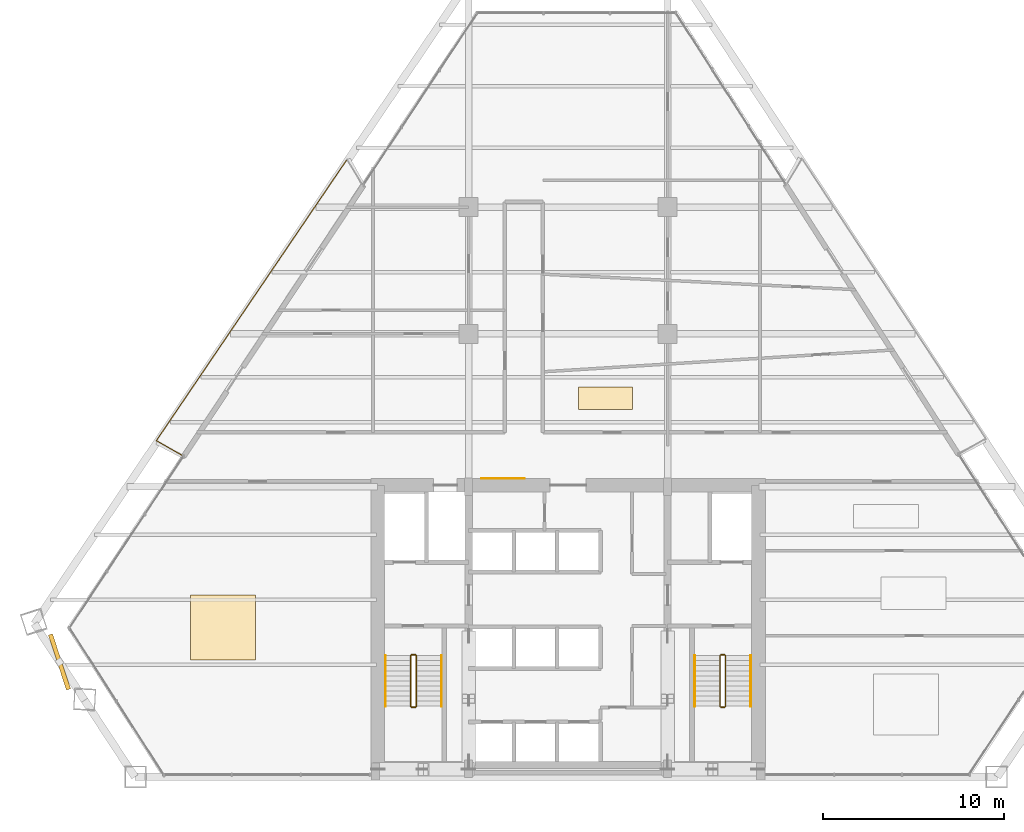
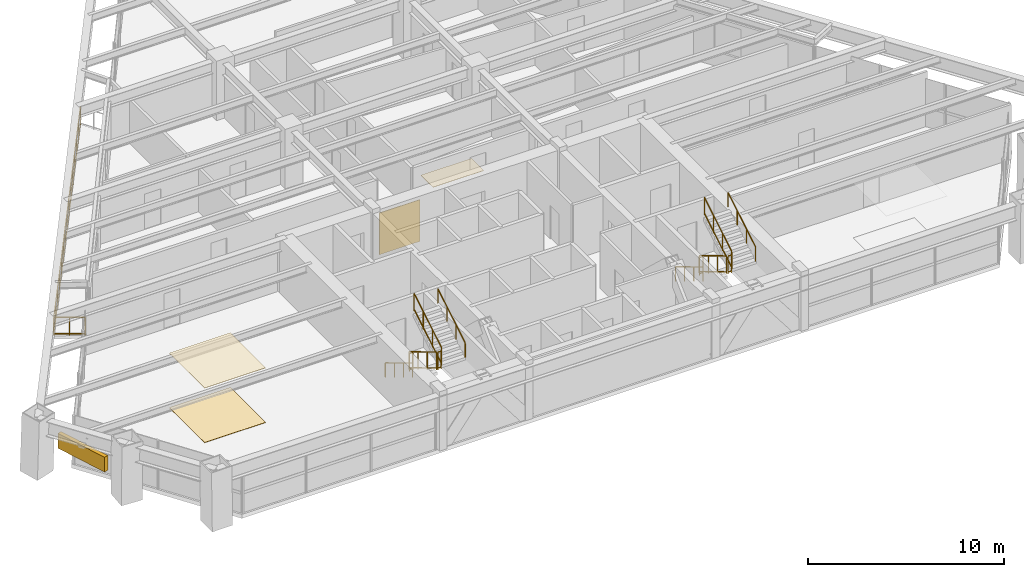
# One storey, part 13 of 14: 14 railings, 4 coverings, 1 shading device.
"""IFC4 building model written with IfcOpenShell, lengths in metres."""

from ifc_helpers import new_model, si_unit, direction, frame, origin, origin_2d, place, context, subcontext, project, spatial, rectangle, extrude, source, transform, mapped, material, layer, layer_set, type_object, type_shapes, element, save


model = new_model("IFC4")

# Units and contexts
model_context = context("Model", 3, precision=1e-05, world=origin(), true_north=direction((0.0, 1.0)))
body_context = subcontext(model_context, "Body", "Model", "MODEL_VIEW")
ifc_project = project(units=[si_unit("LENGTHUNIT", "METRE"), si_unit("AREAUNIT", "SQUARE_METRE"), si_unit("VOLUMEUNIT", "CUBIC_METRE"), si_unit("PLANEANGLEUNIT", "RADIAN"), si_unit("MASSUNIT", "GRAM", prefix="KILO")], contexts=[model_context])

# Site, building, storey
site_placement = place(None, origin())
site = spatial("IfcSite", under=ifc_project, at=site_placement, CompositionType="ELEMENT")
building_placement = place(site_placement, origin())
building = spatial("IfcBuilding", under=site, at=building_placement, Name="Varnakhor Terracotta Tower", CompositionType="ELEMENT")
storey_placement = place(building_placement, frame((0.0, 0.0, 117.300048828125)))
storey = spatial("IfcBuildingStorey", under=building, at=storey_placement, Name="L29", CompositionType="ELEMENT", Elevation=117.300048828125)

# Railings
ifc_material_1 = material(Name="Stainless Steel & Laminated Glass Guardrail", Category="steel")
railing_type_1 = type_object("IfcRailingType", Name="RLG-LOGGIA-GUARD-1150", PredefinedType="GUARDRAIL", material=ifc_material_1)
railing_1_placement = place(storey_placement, frame((-21.372314453125, 17.797607421875, 0.0)))
element("IfcRailing", 1, at=railing_1_placement, inside=storey, type_object=railing_type_1, Name="L29 W Loggia Glass Guard 1", PredefinedType="GUARDRAIL", context=body_context, shape_type="SweptSolid", body=[
    extrude(rectangle(XDim=0.048095703125, YDim=0.048095703125, at=origin_2d()), frame((0.0, 0.0, 1.1259765625), z_axis=(-0.867484051054, 0.497464994916, 0.0), x_axis=(-0.497464994916, -0.867484051054, 0.0)), (0.0, 0.0, 1.0), 1.605224609375),
    extrude(rectangle(XDim=0.048095703125, YDim=0.048095703125, at=origin_2d()), frame((0.0, 0.0, 0.10009765625), z_axis=(-0.867484051054, 0.497464994916, 0.0), x_axis=(-0.497464994916, -0.867484051054, 0.0)), (0.0, 0.0, 1.0), 1.605224609375),
    extrude(rectangle(XDim=0.0419921875, YDim=0.0419921875, at=origin_2d()), origin(), (0.0, 0.0, 1.0), 1.101806640625),
    extrude(rectangle(XDim=0.0419921875, YDim=0.0419921875, at=origin_2d()), frame((-0.6962890625, 0.3994140625, 0.0)), (0.0, 0.0, 1.0), 1.101806640625),
    extrude(rectangle(XDim=0.0419921875, YDim=0.0419921875, at=origin_2d()), frame((-1.392578125, 0.798583984375, 0.0)), (0.0, 0.0, 1.0), 1.101806640625),
])
railing_2_placement = place(storey_placement, frame((-22.764892578125, 18.59619140625, 0.0)))
element("IfcRailing", 2, at=railing_2_placement, inside=storey, type_object=railing_type_1, Name="L29 W Loggia Glass Guard 2", PredefinedType="GUARDRAIL", context=body_context, shape_type="SweptSolid", body=[
    extrude(rectangle(XDim=0.048095703125, YDim=0.048095703125, at=origin_2d()), frame((0.0, 0.0, 1.1259765625), z_axis=(0.561164342942, 0.827704403885, 0.0), x_axis=(-0.827704403885, 0.561164342942, 0.0)), (0.0, 0.0, 1.0), 18.77734375),
    extrude(rectangle(XDim=0.048095703125, YDim=0.048095703125, at=origin_2d()), frame((0.0, 0.0, 0.10009765625), z_axis=(0.561164342942, 0.827704403885, 0.0), x_axis=(-0.827704403885, 0.561164342942, 0.0)), (0.0, 0.0, 1.0), 18.77734375),
    extrude(rectangle(XDim=0.0419921875, YDim=0.0419921875, at=origin_2d()), origin(), (0.0, 0.0, 1.0), 1.101806640625),
    extrude(rectangle(XDim=0.0419921875, YDim=0.0419921875, at=origin_2d()), frame((0.752685546875, 1.110107421875, 0.0)), (0.0, 0.0, 1.0), 1.101806640625),
    extrude(rectangle(XDim=0.0419921875, YDim=0.0419921875, at=origin_2d()), frame((1.50537109375, 2.22021484375, 0.0)), (0.0, 0.0, 1.0), 1.101806640625),
    extrude(rectangle(XDim=0.0419921875, YDim=0.0419921875, at=origin_2d()), frame((2.258056640625, 3.330322265625, 0.0)), (0.0, 0.0, 1.0), 1.101806640625),
    extrude(rectangle(XDim=0.0419921875, YDim=0.0419921875, at=origin_2d()), frame((3.010498046875, 4.440673828125, 0.0)), (0.0, 0.0, 1.0), 1.101806640625),
    extrude(rectangle(XDim=0.0419921875, YDim=0.0419921875, at=origin_2d()), frame((3.76318359375, 5.55078125, 0.0)), (0.0, 0.0, 1.0), 1.101806640625),
    extrude(rectangle(XDim=0.0419921875, YDim=0.0419921875, at=origin_2d()), frame((4.515869140625, 6.660888671875, 0.0)), (0.0, 0.0, 1.0), 1.101806640625),
    extrude(rectangle(XDim=0.0419921875, YDim=0.0419921875, at=origin_2d()), frame((5.2685546875, 7.77099609375, 0.0)), (0.0, 0.0, 1.0), 1.101806640625),
    extrude(rectangle(XDim=0.0419921875, YDim=0.0419921875, at=origin_2d()), frame((6.021240234375, 8.881103515625, 0.0)), (0.0, 0.0, 1.0), 1.101806640625),
    extrude(rectangle(XDim=0.0419921875, YDim=0.0419921875, at=origin_2d()), frame((6.77392578125, 9.9912109375, 0.0)), (0.0, 0.0, 1.0), 1.101806640625),
    extrude(rectangle(XDim=0.0419921875, YDim=0.0419921875, at=origin_2d()), frame((7.526611328125, 11.101318359375, 0.0)), (0.0, 0.0, 1.0), 1.101806640625),
    extrude(rectangle(XDim=0.0419921875, YDim=0.0419921875, at=origin_2d()), frame((8.279052734375, 12.211669921875, 0.0)), (0.0, 0.0, 1.0), 1.101806640625),
    extrude(rectangle(XDim=0.0419921875, YDim=0.0419921875, at=origin_2d()), frame((9.03173828125, 13.32177734375, 0.0)), (0.0, 0.0, 1.0), 1.101806640625),
    extrude(rectangle(XDim=0.0419921875, YDim=0.0419921875, at=origin_2d()), frame((9.784423828125, 14.431884765625, 0.0)), (0.0, 0.0, 1.0), 1.101806640625),
    extrude(rectangle(XDim=0.0419921875, YDim=0.0419921875, at=origin_2d()), frame((10.537109375, 15.5419921875, 0.0)), (0.0, 0.0, 1.0), 1.101806640625),
])
ifc_material_2 = material(Name="Painted Steel Stairwell Guardrail", Category="steel")
railing_type_2 = type_object("IfcRailingType", Name="RLG-STAIR-GUARD-1120", PredefinedType="GUARDRAIL", material=ifc_material_2)
railing_3_placement = place(storey_placement, frame((-8.699951171875, 6.7099609375, 0.168212890625)))
element("IfcRailing", 3, at=railing_3_placement, inside=storey, type_object=railing_type_2, Name="L29 ST-1 stair guard 1", PredefinedType="GUARDRAIL", context=body_context, shape_type="SweptSolid", body=[
    extrude(rectangle(XDim=0.048095703125, YDim=0.048095703125, at=origin_2d()), frame((0.0, 0.0, 1.09619140625), z_axis=(0.0, -0.857275202839, 0.514858452973), x_axis=(1.0, 0.0, 0.0)), (0.0, 0.0, 1.0), 3.26611328125),
    extrude(rectangle(XDim=0.048095703125, YDim=0.048095703125, at=origin_2d()), frame((0.0, 0.0, 0.10009765625), z_axis=(0.0, -0.857275202839, 0.514858452973), x_axis=(1.0, 0.0, 0.0)), (0.0, 0.0, 1.0), 3.26611328125),
    extrude(rectangle(XDim=0.0419921875, YDim=0.0419921875, at=origin_2d()), origin(), (0.0, 0.0, 1.0), 1.072021484375),
    extrude(rectangle(XDim=0.0419921875, YDim=0.0419921875, at=origin_2d()), frame((0.0, -0.933349609375, 0.560546875)), (0.0, 0.0, 1.0), 1.072021484375),
    extrude(rectangle(XDim=0.0419921875, YDim=0.0419921875, at=origin_2d()), frame((0.0, -1.86669921875, 1.12109375)), (0.0, 0.0, 1.0), 1.072021484375),
    extrude(rectangle(XDim=0.0419921875, YDim=0.0419921875, at=origin_2d()), frame((0.0, -2.800048828125, 1.681640625)), (0.0, 0.0, 1.0), 1.072021484375),
])
railing_4_placement = place(storey_placement, frame((-8.64990234375, 3.860107421875, 1.849853515625)))
element("IfcRailing", 4, at=railing_4_placement, inside=storey, type_object=railing_type_2, Name="L29 ST-1 stair guard 2", PredefinedType="GUARDRAIL", context=body_context, shape_type="SweptSolid", body=[
    extrude(rectangle(XDim=0.048095703125, YDim=0.048095703125, at=origin_2d()), frame((0.0, 0.0, 1.09619140625), z_axis=(1.0, 0.0, 0.0), x_axis=(0.0, 1.0, 0.0)), (0.0, 0.0, 1.0), 0.199951171875),
    extrude(rectangle(XDim=0.048095703125, YDim=0.048095703125, at=origin_2d()), frame((0.0, 0.0, 0.10009765625), z_axis=(1.0, 0.0, 0.0), x_axis=(0.0, 1.0, 0.0)), (0.0, 0.0, 1.0), 0.199951171875),
    extrude(rectangle(XDim=0.0419921875, YDim=0.0419921875, at=origin_2d()), origin(), (0.0, 0.0, 1.0), 1.072021484375),
    extrude(rectangle(XDim=0.0419921875, YDim=0.0419921875, at=origin_2d()), frame((0.199951171875, 0.0, 0.0)), (0.0, 0.0, 1.0), 1.072021484375),
])
railing_5_placement = place(storey_placement, frame((-8.39990234375, 3.909912109375, 2.01806640625)))
element("IfcRailing", 5, at=railing_5_placement, inside=storey, type_object=railing_type_2, Name="L29 ST-1 stair guard 3", PredefinedType="GUARDRAIL", context=body_context, shape_type="SweptSolid", body=[
    extrude(rectangle(XDim=0.048095703125, YDim=0.048095703125, at=origin_2d()), frame((0.0, 0.0, 1.09619140625), z_axis=(0.0, 0.857242210791, 0.514913383045), x_axis=(-1.0, 0.0, 0.0)), (0.0, 0.0, 1.0), 3.266357421875),
    extrude(rectangle(XDim=0.048095703125, YDim=0.048095703125, at=origin_2d()), frame((0.0, 0.0, 0.10009765625), z_axis=(0.0, 0.857242210791, 0.514913383045), x_axis=(-1.0, 0.0, 0.0)), (0.0, 0.0, 1.0), 3.266357421875),
    extrude(rectangle(XDim=0.0419921875, YDim=0.0419921875, at=origin_2d()), origin(), (0.0, 0.0, 1.0), 1.072021484375),
    extrude(rectangle(XDim=0.0419921875, YDim=0.0419921875, at=origin_2d()), frame((0.0, 0.933349609375, 0.560546875)), (0.0, 0.0, 1.0), 1.072021484375),
    extrude(rectangle(XDim=0.0419921875, YDim=0.0419921875, at=origin_2d()), frame((0.0, 1.86669921875, 1.121337890625)), (0.0, 0.0, 1.0), 1.072021484375),
    extrude(rectangle(XDim=0.0419921875, YDim=0.0419921875, at=origin_2d()), frame((0.0, 2.800048828125, 1.681884765625)), (0.0, 0.0, 1.0), 1.072021484375),
])
railing_6_placement = place(storey_placement, frame((-8.64990234375, 6.760009765625, 0.0)))
element("IfcRailing", 6, at=railing_6_placement, inside=storey, type_object=railing_type_2, Name="L29 ST-1 stair guard 4", PredefinedType="GUARDRAIL", context=body_context, shape_type="SweptSolid", body=[
    extrude(rectangle(XDim=0.048095703125, YDim=0.048095703125, at=origin_2d()), frame((0.0, 0.0, 1.09619140625), z_axis=(1.0, 0.0, 0.0), x_axis=(0.0, 1.0, 0.0)), (0.0, 0.0, 1.0), 0.199951171875),
    extrude(rectangle(XDim=0.048095703125, YDim=0.048095703125, at=origin_2d()), frame((0.0, 0.0, 0.10009765625), z_axis=(1.0, 0.0, 0.0), x_axis=(0.0, 1.0, 0.0)), (0.0, 0.0, 1.0), 0.199951171875),
    extrude(rectangle(XDim=0.0419921875, YDim=0.0419921875, at=origin_2d()), origin(), (0.0, 0.0, 1.0), 1.072021484375),
    extrude(rectangle(XDim=0.0419921875, YDim=0.0419921875, at=origin_2d()), frame((0.199951171875, 0.0, 0.0)), (0.0, 0.0, 1.0), 1.072021484375),
])
railing_7_placement = place(storey_placement, frame((8.39990234375, 6.7099609375, 0.168212890625)))
element("IfcRailing", 7, at=railing_7_placement, inside=storey, type_object=railing_type_2, Name="L29 ST-2 stair guard 1", PredefinedType="GUARDRAIL", context=body_context, shape_type="SweptSolid", body=[
    extrude(rectangle(XDim=0.048095703125, YDim=0.048095703125, at=origin_2d()), frame((0.0, 0.0, 1.09619140625), z_axis=(0.0, -0.857275202839, 0.514858452973), x_axis=(1.0, 0.0, 0.0)), (0.0, 0.0, 1.0), 3.26611328125),
    extrude(rectangle(XDim=0.048095703125, YDim=0.048095703125, at=origin_2d()), frame((0.0, 0.0, 0.10009765625), z_axis=(0.0, -0.857275202839, 0.514858452973), x_axis=(1.0, 0.0, 0.0)), (0.0, 0.0, 1.0), 3.26611328125),
    extrude(rectangle(XDim=0.0419921875, YDim=0.0419921875, at=origin_2d()), origin(), (0.0, 0.0, 1.0), 1.072021484375),
    extrude(rectangle(XDim=0.0419921875, YDim=0.0419921875, at=origin_2d()), frame((0.0, -0.933349609375, 0.560546875)), (0.0, 0.0, 1.0), 1.072021484375),
    extrude(rectangle(XDim=0.0419921875, YDim=0.0419921875, at=origin_2d()), frame((0.0, -1.86669921875, 1.12109375)), (0.0, 0.0, 1.0), 1.072021484375),
    extrude(rectangle(XDim=0.0419921875, YDim=0.0419921875, at=origin_2d()), frame((0.0, -2.800048828125, 1.681640625)), (0.0, 0.0, 1.0), 1.072021484375),
])
railing_8_placement = place(storey_placement, frame((8.449951171875, 3.860107421875, 1.849853515625)))
element("IfcRailing", 8, at=railing_8_placement, inside=storey, type_object=railing_type_2, Name="L29 ST-2 stair guard 2", PredefinedType="GUARDRAIL", context=body_context, shape_type="SweptSolid", body=[
    extrude(rectangle(XDim=0.048095703125, YDim=0.048095703125, at=origin_2d()), frame((0.0, 0.0, 1.09619140625), z_axis=(1.0, 0.0, 0.0), x_axis=(0.0, 1.0, 0.0)), (0.0, 0.0, 1.0), 0.199951171875),
    extrude(rectangle(XDim=0.048095703125, YDim=0.048095703125, at=origin_2d()), frame((0.0, 0.0, 0.10009765625), z_axis=(1.0, 0.0, 0.0), x_axis=(0.0, 1.0, 0.0)), (0.0, 0.0, 1.0), 0.199951171875),
    extrude(rectangle(XDim=0.0419921875, YDim=0.0419921875, at=origin_2d()), origin(), (0.0, 0.0, 1.0), 1.072021484375),
    extrude(rectangle(XDim=0.0419921875, YDim=0.0419921875, at=origin_2d()), frame((0.199951171875, 0.0, 0.0)), (0.0, 0.0, 1.0), 1.072021484375),
])
railing_9_placement = place(storey_placement, frame((8.699951171875, 3.909912109375, 2.01806640625)))
element("IfcRailing", 9, at=railing_9_placement, inside=storey, type_object=railing_type_2, Name="L29 ST-2 stair guard 3", PredefinedType="GUARDRAIL", context=body_context, shape_type="SweptSolid", body=[
    extrude(rectangle(XDim=0.048095703125, YDim=0.048095703125, at=origin_2d()), frame((0.0, 0.0, 1.09619140625), z_axis=(0.0, 0.857242210791, 0.514913383045), x_axis=(-1.0, 0.0, 0.0)), (0.0, 0.0, 1.0), 3.266357421875),
    extrude(rectangle(XDim=0.048095703125, YDim=0.048095703125, at=origin_2d()), frame((0.0, 0.0, 0.10009765625), z_axis=(0.0, 0.857242210791, 0.514913383045), x_axis=(-1.0, 0.0, 0.0)), (0.0, 0.0, 1.0), 3.266357421875),
    extrude(rectangle(XDim=0.0419921875, YDim=0.0419921875, at=origin_2d()), origin(), (0.0, 0.0, 1.0), 1.072021484375),
    extrude(rectangle(XDim=0.0419921875, YDim=0.0419921875, at=origin_2d()), frame((0.0, 0.933349609375, 0.560546875)), (0.0, 0.0, 1.0), 1.072021484375),
    extrude(rectangle(XDim=0.0419921875, YDim=0.0419921875, at=origin_2d()), frame((0.0, 1.86669921875, 1.121337890625)), (0.0, 0.0, 1.0), 1.072021484375),
    extrude(rectangle(XDim=0.0419921875, YDim=0.0419921875, at=origin_2d()), frame((0.0, 2.800048828125, 1.681884765625)), (0.0, 0.0, 1.0), 1.072021484375),
])
railing_10_placement = place(storey_placement, frame((8.449951171875, 6.760009765625, 0.0)))
element("IfcRailing", 10, at=railing_10_placement, inside=storey, type_object=railing_type_2, Name="L29 ST-2 stair guard 4", PredefinedType="GUARDRAIL", context=body_context, shape_type="SweptSolid", body=[
    extrude(rectangle(XDim=0.048095703125, YDim=0.048095703125, at=origin_2d()), frame((0.0, 0.0, 1.09619140625), z_axis=(1.0, 0.0, 0.0), x_axis=(0.0, 1.0, 0.0)), (0.0, 0.0, 1.0), 0.199951171875),
    extrude(rectangle(XDim=0.048095703125, YDim=0.048095703125, at=origin_2d()), frame((0.0, 0.0, 0.10009765625), z_axis=(1.0, 0.0, 0.0), x_axis=(0.0, 1.0, 0.0)), (0.0, 0.0, 1.0), 0.199951171875),
    extrude(rectangle(XDim=0.0419921875, YDim=0.0419921875, at=origin_2d()), origin(), (0.0, 0.0, 1.0), 1.072021484375),
    extrude(rectangle(XDim=0.0419921875, YDim=0.0419921875, at=origin_2d()), frame((0.199951171875, 0.0, 0.0)), (0.0, 0.0, 1.0), 1.072021484375),
])
ifc_material_3 = material(Name="Brushed Stainless Steel Handrail", Category="steel")
railing_type_3 = type_object("IfcRailingType", Name="RLG-STAIR-HANDRAIL-920", PredefinedType="HANDRAIL", material=ifc_material_3)
railing_11_placement = place(storey_placement, frame((-10.10009765625, 6.7099609375, 0.168212890625)))
element("IfcRailing", 11, at=railing_11_placement, inside=storey, type_object=railing_type_3, Name="L29 ST-1 stair handrail 1", PredefinedType="HANDRAIL", context=body_context, shape_type="SweptSolid", body=[
    extrude(rectangle(XDim=0.048095703125, YDim=0.048095703125, at=origin_2d()), frame((0.0, 0.0, 0.89599609375), z_axis=(0.0, -0.857275202839, 0.514858452973), x_axis=(1.0, 0.0, 0.0)), (0.0, 0.0, 1.0), 3.26611328125),
    extrude(rectangle(XDim=0.0419921875, YDim=0.0419921875, at=origin_2d()), origin(), (0.0, 0.0, 1.0), 0.871826171875),
    extrude(rectangle(XDim=0.0419921875, YDim=0.0419921875, at=origin_2d()), frame((0.0, -0.933349609375, 0.560546875)), (0.0, 0.0, 1.0), 0.871826171875),
    extrude(rectangle(XDim=0.0419921875, YDim=0.0419921875, at=origin_2d()), frame((0.0, -1.86669921875, 1.12109375)), (0.0, 0.0, 1.0), 0.871826171875),
    extrude(rectangle(XDim=0.0419921875, YDim=0.0419921875, at=origin_2d()), frame((0.0, -2.800048828125, 1.681640625)), (0.0, 0.0, 1.0), 0.871826171875),
])
railing_12_placement = place(storey_placement, frame((-7.0, 3.909912109375, 2.01806640625)))
element("IfcRailing", 12, at=railing_12_placement, inside=storey, type_object=railing_type_3, Name="L29 ST-1 stair handrail 2", PredefinedType="HANDRAIL", context=body_context, shape_type="SweptSolid", body=[
    extrude(rectangle(XDim=0.048095703125, YDim=0.048095703125, at=origin_2d()), frame((0.0, 0.0, 0.89599609375), z_axis=(0.0, 0.857242210791, 0.514913383045), x_axis=(-1.0, 0.0, 0.0)), (0.0, 0.0, 1.0), 3.266357421875),
    extrude(rectangle(XDim=0.0419921875, YDim=0.0419921875, at=origin_2d()), origin(), (0.0, 0.0, 1.0), 0.871826171875),
    extrude(rectangle(XDim=0.0419921875, YDim=0.0419921875, at=origin_2d()), frame((0.0, 0.933349609375, 0.560546875)), (0.0, 0.0, 1.0), 0.871826171875),
    extrude(rectangle(XDim=0.0419921875, YDim=0.0419921875, at=origin_2d()), frame((0.0, 1.86669921875, 1.121337890625)), (0.0, 0.0, 1.0), 0.871826171875),
    extrude(rectangle(XDim=0.0419921875, YDim=0.0419921875, at=origin_2d()), frame((0.0, 2.800048828125, 1.681884765625)), (0.0, 0.0, 1.0), 0.871826171875),
])
railing_13_placement = place(storey_placement, frame((7.0, 6.7099609375, 0.168212890625)))
element("IfcRailing", 13, at=railing_13_placement, inside=storey, type_object=railing_type_3, Name="L29 ST-2 stair handrail 1", PredefinedType="HANDRAIL", context=body_context, shape_type="SweptSolid", body=[
    extrude(rectangle(XDim=0.048095703125, YDim=0.048095703125, at=origin_2d()), frame((0.0, 0.0, 0.89599609375), z_axis=(0.0, -0.857275202839, 0.514858452973), x_axis=(1.0, 0.0, 0.0)), (0.0, 0.0, 1.0), 3.26611328125),
    extrude(rectangle(XDim=0.0419921875, YDim=0.0419921875, at=origin_2d()), origin(), (0.0, 0.0, 1.0), 0.871826171875),
    extrude(rectangle(XDim=0.0419921875, YDim=0.0419921875, at=origin_2d()), frame((0.0, -0.933349609375, 0.560546875)), (0.0, 0.0, 1.0), 0.871826171875),
    extrude(rectangle(XDim=0.0419921875, YDim=0.0419921875, at=origin_2d()), frame((0.0, -1.86669921875, 1.12109375)), (0.0, 0.0, 1.0), 0.871826171875),
    extrude(rectangle(XDim=0.0419921875, YDim=0.0419921875, at=origin_2d()), frame((0.0, -2.800048828125, 1.681640625)), (0.0, 0.0, 1.0), 0.871826171875),
])
railing_14_placement = place(storey_placement, frame((10.10009765625, 3.909912109375, 2.01806640625)))
element("IfcRailing", 14, at=railing_14_placement, inside=storey, type_object=railing_type_3, Name="L29 ST-2 stair handrail 2", PredefinedType="HANDRAIL", context=body_context, shape_type="SweptSolid", body=[
    extrude(rectangle(XDim=0.048095703125, YDim=0.048095703125, at=origin_2d()), frame((0.0, 0.0, 0.89599609375), z_axis=(0.0, 0.857242210791, 0.514913383045), x_axis=(-1.0, 0.0, 0.0)), (0.0, 0.0, 1.0), 3.266357421875),
    extrude(rectangle(XDim=0.0419921875, YDim=0.0419921875, at=origin_2d()), origin(), (0.0, 0.0, 1.0), 0.871826171875),
    extrude(rectangle(XDim=0.0419921875, YDim=0.0419921875, at=origin_2d()), frame((0.0, 0.933349609375, 0.560546875)), (0.0, 0.0, 1.0), 0.871826171875),
    extrude(rectangle(XDim=0.0419921875, YDim=0.0419921875, at=origin_2d()), frame((0.0, 1.86669921875, 1.121337890625)), (0.0, 0.0, 1.0), 0.871826171875),
    extrude(rectangle(XDim=0.0419921875, YDim=0.0419921875, at=origin_2d()), frame((0.0, 2.800048828125, 1.681884765625)), (0.0, 0.0, 1.0), 0.871826171875),
])

# Shading device
ifc_material_4 = material(Name="Extruded Architectural Terracotta Screen", Category="masonry")
shading_device_type = type_object("IfcShadingDeviceType", Name="TERRACOTTA SOLAR SCREEN W", PredefinedType="USERDEFINED", material=ifc_material_4)
shared_shape_1 = source(origin(), body_context, "Body", "SweptSolid", [
    extrude(rectangle(XDim=3.199951171875, YDim=0.239990234375, at=origin_2d()), origin(), (0.0, 0.0, 1.0), 0.919921875),
])
type_shapes(shading_device_type, [shared_shape_1])
shading_device_placement = place(storey_placement, frame((-28.122314453125, 6.35595703125, 1.587890625), z_axis=(0.0, 0.0, 1.0), x_axis=(0.313230107227, -0.949677260929, 0.0)))
element("IfcShadingDevice", 15, at=shading_device_placement, inside=storey, type_object=shading_device_type, Name="L29 W Terracotta Solar Screen", ObjectType="SCREEN", PredefinedType="USERDEFINED", context=body_context, shape_type="MappedRepresentation", body=[
    mapped(shared_shape_1, transform((0.0, 0.0, 0.0), scale=1.0)),
])

# Coverings
ifc_material_5 = material(Name="Extruded Architectural Terracotta Cladding", Category="masonry")
ifc_layer_1 = layer(ifc_material_5, 0.044921875, Name="Extruded Architectural Terracotta Cladding")
ifc_layer_set_1 = layer_set([ifc_layer_1], Name="Extruded Architectural Terracotta Cladding")
covering_type_1 = type_object("IfcCoveringType", Name="COV-CLAD-TERRACOTTA", PredefinedType="CLADDING", material=ifc_layer_set_1)
shared_shape_2 = source(origin(), body_context, "Body", "SweptSolid", [
    extrude(rectangle(XDim=2.39990234375, YDim=0.030029296875, at=origin_2d()), origin(), (0.0, 0.0, 1.0), 2.60009765625),
])
type_shapes(covering_type_1, [shared_shape_2])
covering_1_placement = place(storey_placement, frame((-3.60009765625, 16.511962890625, 0.0), z_axis=(0.0, 0.0, 1.0), x_axis=(1.0, 0.0, 0.0)))
element("IfcCovering", 16, at=covering_1_placement, inside=storey, type_object=covering_type_1, Name="L29 Core Lobby Limestone Cladding", PredefinedType="CLADDING", context=body_context, shape_type="MappedRepresentation", body=[
    mapped(shared_shape_2, transform((0.0, 0.0, 0.0), scale=1.0)),
])
ifc_material_6 = material(Name="Honed Riyadh Limestone Flooring", Category="masonry")
ifc_layer_2 = layer(ifc_material_6, 0.030029296875, Name="Honed Riyadh Limestone Flooring")
ifc_layer_set_2 = layer_set([ifc_layer_2], Name="Honed Riyadh Limestone Flooring")
covering_type_2 = type_object("IfcCoveringType", Name="COV-FLOOR-LIMESTONE", PredefinedType="FLOORING", material=ifc_layer_set_2)
shared_shape_3 = source(origin(), body_context, "Body", "SweptSolid", [
    extrude(rectangle(XDim=3.60009765625, YDim=3.60009765625, at=origin_2d()), origin(), (0.0, 0.0, 1.0), 0.02001953125),
])
covering_2_placement = place(storey_placement, frame((-19.083984375, 8.26611328125, 0.0), z_axis=(0.0, 0.0, 1.0), x_axis=(1.0, 0.0, 0.0)))
element("IfcCovering", 17, at=covering_2_placement, inside=storey, type_object=covering_type_2, Name="L29 Honed Stone Flooring 2", PredefinedType="FLOORING", context=body_context, shape_type="MappedRepresentation", body=[
    mapped(shared_shape_3, transform((0.0, 0.0, 0.0), scale=1.0)),
])
ifc_material_7 = material(Name="Perforated Acoustic Mineral-Fibre Ceiling", Category="gypsum")
ifc_layer_3 = layer(ifc_material_7, 0.02490234375, Name="Perforated Acoustic Mineral-Fibre Ceiling")
ifc_layer_set_3 = layer_set([ifc_layer_3], Name="Perforated Acoustic Mineral-Fibre Ceiling")
covering_type_3 = type_object("IfcCoveringType", Name="COV-CEILING-ACOUSTIC", PredefinedType="CEILING", material=ifc_layer_set_3)
shared_shape_4 = source(origin(), body_context, "Body", "SweptSolid", [
    extrude(rectangle(XDim=3.60009765625, YDim=3.60009765625, at=origin_2d()), origin(), (0.0, 0.0, 1.0), 0.02392578125),
])
covering_3_placement = place(storey_placement, frame((-19.083984375, 8.26611328125, 3.39599609375), z_axis=(0.0, 0.0, 1.0), x_axis=(1.0, 0.0, 0.0)))
element("IfcCovering", 18, at=covering_3_placement, inside=storey, type_object=covering_type_3, Name="L29 Acoustic Ceiling Panel 2", PredefinedType="CEILING", context=body_context, shape_type="MappedRepresentation", body=[
    mapped(shared_shape_4, transform((0.0, 0.0, 0.0), scale=1.0)),
])
shared_shape_5 = source(origin(), body_context, "Body", "SweptSolid", [
    extrude(rectangle(XDim=2.98388671875, YDim=1.241943359375, at=origin_2d()), origin(), (0.0, 0.0, 1.0), 0.02001953125),
])
covering_4_placement = place(storey_placement, frame((2.06103515625, 20.927978515625, 0.0), z_axis=(0.0, 0.0, 1.0), x_axis=(1.0, 0.0, 0.0)))
element("IfcCovering", 19, at=covering_4_placement, inside=storey, type_object=covering_type_2, Name="L29 Honed Stone Flooring 5", PredefinedType="FLOORING", context=body_context, shape_type="MappedRepresentation", body=[
    mapped(shared_shape_5, transform((0.0, 0.0, 0.0), scale=1.0)),
])

save(model, "model.ifc")
